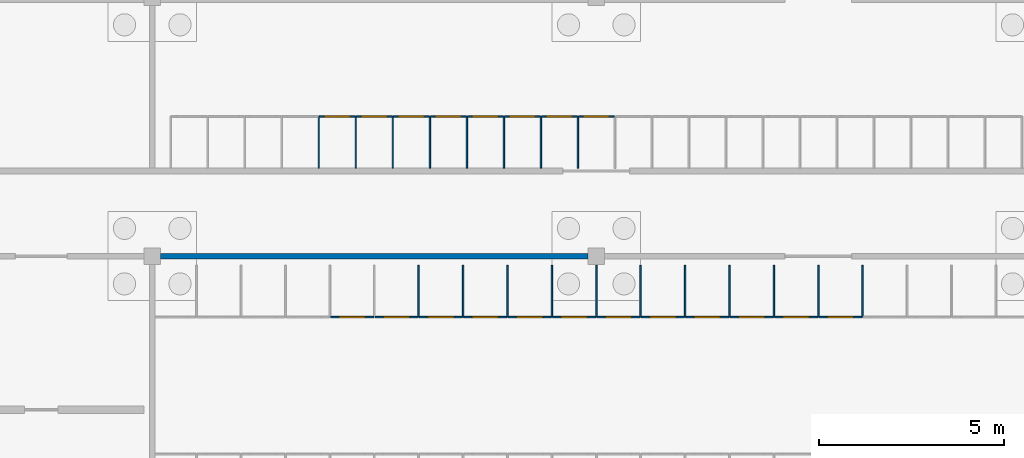
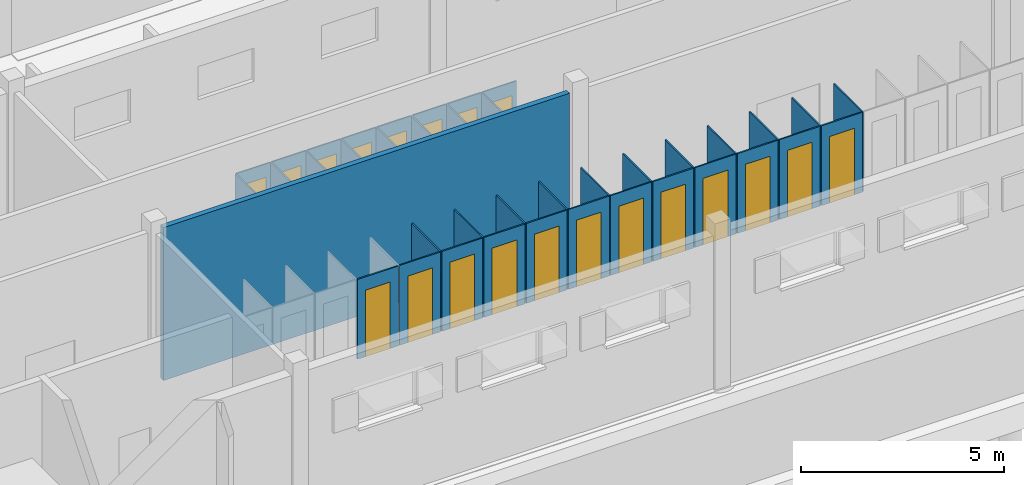
# One storey, part 80 of 157: 40 walls, 20 doors, 20 openings.
"""IFC4 building model written with IfcOpenShell, lengths in metres."""

import ifcopenshell
import ifcopenshell.guid

model = None  # the IFC model being written
_history = None  # IfcOwnerHistory: only IFC2X3 demands one
_inside = {}  # id of a spatial element -> (the spatial element, [elements in it])
_under = {}  # id of a project, library or spatial element -> (it, [spatial elements below it])
_declared = {}  # id of a project -> (the project, [libraries it declares])
_typed = {}  # id of a type object -> (the type object, [elements of that type])
_made_of = {}  # id of a material, layer set ... -> (it, [elements and type objects made of it])


def new_model(schema):
    """Start an empty IFC model of exactly this schema.

    Asked for "IFC4X3", IfcOpenShell would pick the latest addendum, in which some entities
    have other attributes; the version numbers below select the first issue.
    IFC2X3 requires an IfcOwnerHistory on every rooted entity: one is made here for all.
    """
    global model, _history
    if schema == "IFC4X3":
        model = ifcopenshell.file(schema_version=(4, 3, 0, 0))
    else:
        model = ifcopenshell.file(schema=schema)
    _inside.clear()
    _under.clear()
    _declared.clear()
    _typed.clear()
    _made_of.clear()
    _history = None
    if model.schema == "IFC2X3":
        org = make("IfcOrganization", Name="unknown")
        user = make(
            "IfcPersonAndOrganization",
            ThePerson=make("IfcPerson", FamilyName="unknown"),
            TheOrganization=org,
        )
        app = make(
            "IfcApplication",
            ApplicationDeveloper=org,
            Version="unknown",
            ApplicationFullName="unknown",
            ApplicationIdentifier="unknown",
        )
        _history = make(
            "IfcOwnerHistory",
            OwningUser=user,
            OwningApplication=app,
            ChangeAction="ADDED",
            CreationDate=0,
        )
    return model


def make(cls, **values):
    """One entity of the class cls with the attributes given. An attribute that is None is left unset."""
    return model.create_entity(
        cls, **{name: value for name, value in values.items() if value is not None}
    )


def rooted(cls, **values):
    """An entity with a GlobalId (a new one), such as an element, a storey or a relation."""
    return make(cls, GlobalId=ifcopenshell.guid.new(), OwnerHistory=_history, **values)


def si_unit(unit_type, name, prefix=None):
    """IfcSIUnit, for example si_unit("LENGTHUNIT", "METRE", prefix="MILLI")."""
    return make("IfcSIUnit", UnitType=unit_type, Prefix=prefix, Name=name)


def assignment(units):
    """IfcUnitAssignment: the units of a project."""
    return None if units is None else make("IfcUnitAssignment", Units=units)


def point(xyz):
    """IfcCartesianPoint."""
    return None if xyz is None else make("IfcCartesianPoint", Coordinates=xyz)


def direction(xyz):
    """IfcDirection."""
    return None if xyz is None else make("IfcDirection", DirectionRatios=xyz)


def frame(location, z_axis=None, x_axis=None):
    """IfcAxis2Placement3D, a coordinate frame: its origin and axes. An axis left out is left unset."""
    return make(
        "IfcAxis2Placement3D",
        Location=point(location),
        Axis=direction(z_axis),
        RefDirection=direction(x_axis),
    )


def frame_2d(location, x_axis=None):
    """IfcAxis2Placement2D, a coordinate frame in the plane: its origin and x axis."""
    return make(
        "IfcAxis2Placement2D", Location=point(location), RefDirection=direction(x_axis)
    )


def origin():
    """The frame at (0, 0, 0) with its axes left unset."""
    return frame((0.0, 0.0, 0.0))


def place(relative_to, where):
    """IfcLocalPlacement: puts the frame where relative to a parent placement (None: the world)."""
    return make(
        "IfcLocalPlacement", PlacementRelTo=relative_to, RelativePlacement=where
    )


def context(
    kind, dimensions, precision=None, world=None, true_north=None, identifier=None
):
    """IfcGeometricRepresentationContext, for example the 3D "Model" context."""
    return make(
        "IfcGeometricRepresentationContext",
        ContextIdentifier=identifier,
        ContextType=kind,
        CoordinateSpaceDimension=dimensions,
        Precision=precision,
        WorldCoordinateSystem=world,
        TrueNorth=true_north,
    )


def subcontext(parent, identifier, kind, view, scale=None):
    """IfcGeometricRepresentationSubContext, for example "Body" below "Model"."""
    return make(
        "IfcGeometricRepresentationSubContext",
        ContextIdentifier=identifier,
        ContextType=kind,
        ParentContext=parent,
        TargetScale=scale,
        TargetView=view,
    )


def project(units=None, contexts=None):
    """IfcProject with its units and contexts."""
    return rooted(
        "IfcProject",
        Name="project",
        RepresentationContexts=contexts,
        UnitsInContext=assignment(units),
    )


def spatial(cls, under=None, at=None, **own):
    """A site, building, storey or space (cls), placed at a placement, below another one or the project."""
    s = rooted(cls, ObjectPlacement=at, **own)
    if under is not None:
        _under.setdefault(under.id(), (under, []))[1].append(s)
    return s


def profile(cls, at=None, kind="AREA", **sizes):
    """A parametric profile (cls). Its sizes go by their IFC names, for example OverallWidth=200.0."""
    return make(cls, ProfileType=kind, Position=at, **sizes)


def rectangle(**sizes):
    """IfcRectangleProfileDef."""
    return profile("IfcRectangleProfileDef", **sizes)


def extrude(swept, where, along, depth):
    """IfcExtrudedAreaSolid: the profile swept, set in the frame where, extruded along a direction by depth."""
    return make(
        "IfcExtrudedAreaSolid",
        SweptArea=swept,
        Position=where,
        ExtrudedDirection=direction(along),
        Depth=depth,
    )


def shape(context_of_items, identifier, shape_type, items):
    """IfcShapeRepresentation: the items that make up one representation, for example the "Body"."""
    return make(
        "IfcShapeRepresentation",
        ContextOfItems=context_of_items,
        RepresentationIdentifier=identifier,
        RepresentationType=shape_type,
        Items=items,
    )


def material(Name=None, Category=None):
    """IfcMaterial."""
    return make("IfcMaterial", Name=Name, Category=Category)


def layer(
    of_material, thickness, ventilated=None, Name=None, Category=None, Priority=None
):
    """IfcMaterialLayer: one layer of a wall or slab, of a material (None: an air gap)."""
    return make(
        "IfcMaterialLayer",
        Material=of_material,
        LayerThickness=thickness,
        IsVentilated=ventilated,
        Name=Name,
        Category=Category,
        Priority=Priority,
    )


def layer_set(layers, Name=None):
    """IfcMaterialLayerSet."""
    return make("IfcMaterialLayerSet", MaterialLayers=layers, LayerSetName=Name)


def made_of(thing, what):
    """Note that an element or type object is made of a material, layer set ...; save() writes the relation."""
    if what is not None:
        _made_of.setdefault(what.id(), (what, []))[1].append(thing)
    return thing


def type_object(cls, material=None, **own):
    """A type object (cls), such as IfcWallType, which elements share."""
    return made_of(rooted(cls, **own), material)


def element(
    cls,
    number,
    at=None,
    inside=None,
    cuts=None,
    type_object=None,
    material=None,
    context=None,
    identifier="Body",
    shape_type=None,
    held_by="IfcProductDefinitionShape",
    body=None,
    shapes=None,
    **own,
):
    """One element of the class cls, such as IfcWall. Its Tag is "e" and its number.

    at: its placement. inside: the storey or other place that contains it. cuts: it is an
    opening in that element (IfcRelVoidsElement). A single representation is given by context,
    identifier, shape_type and body (its items); several are given by shapes. held_by: the class
    of the entity that holds the representations. save() writes the other relations.
    """
    e = rooted(cls, Tag="e%d" % number, ObjectPlacement=at, **own)
    if body is not None:
        shapes = [shape(context, identifier, shape_type, body)]
    if shapes is not None:
        e.Representation = make(held_by, Representations=shapes)
    if inside is not None:
        _inside.setdefault(inside.id(), (inside, []))[1].append(e)
    if cuts is not None:
        rooted(
            "IfcRelVoidsElement", RelatingBuildingElement=cuts, RelatedOpeningElement=e
        )
    if type_object is not None:
        _typed.setdefault(type_object.id(), (type_object, []))[1].append(e)
    return made_of(e, material)


def fill(opening, filler):
    """IfcRelFillsElement: the door or window that sits in an opening."""
    return rooted(
        "IfcRelFillsElement",
        RelatingOpeningElement=opening,
        RelatedBuildingElement=filler,
    )


def aggregate(whole, parts):
    """IfcRelAggregates: a whole, such as a stair, and the parts it consists of."""
    return rooted("IfcRelAggregates", RelatingObject=whole, RelatedObjects=parts)


def save(model, path):
    """Write the relations noted so far, then the file.

    IfcRelAggregates (storeys below a building ...), IfcRelContainedInSpatialStructure (elements
    in a storey), IfcRelDefinesByType, IfcRelAssociatesMaterial and IfcRelDeclares: one each for
    every whole, place, type object, material and project.
    """
    for whole, parts in _under.values():
        aggregate(whole, parts)
    for where, things in _inside.values():
        rooted(
            "IfcRelContainedInSpatialStructure",
            RelatedElements=things,
            RelatingStructure=where,
        )
    for kind, things in _typed.values():
        rooted("IfcRelDefinesByType", RelatedObjects=things, RelatingType=kind)
    for what, things in _made_of.values():
        rooted("IfcRelAssociatesMaterial", RelatedObjects=things, RelatingMaterial=what)
    for by, libraries in _declared.values():
        rooted("IfcRelDeclares", RelatingContext=by, RelatedDefinitions=libraries)
    model.write(path)


model = new_model("IFC4")

# Units and contexts
model_context = context("Model", 3, precision=1e-05, world=origin(), true_north=direction((0.0, 1.0)))
body_context = subcontext(model_context, "Body", "Model", "MODEL_VIEW")
ifc_project = project(units=[si_unit("LENGTHUNIT", "METRE"), si_unit("AREAUNIT", "SQUARE_METRE"), si_unit("VOLUMEUNIT", "CUBIC_METRE"), si_unit("PLANEANGLEUNIT", "RADIAN"), si_unit("MASSUNIT", "GRAM", prefix="KILO")], contexts=[model_context])

# Site, building, storey
site_placement = place(None, origin())
site = spatial("IfcSite", under=ifc_project, at=site_placement, CompositionType="ELEMENT")
building_placement = place(site_placement, origin())
building = spatial("IfcBuilding", under=site, at=building_placement, Name="Windward Yard Aquatics Centre", CompositionType="ELEMENT")
storey_placement = place(building_placement, origin())
storey = spatial("IfcBuildingStorey", under=building, at=storey_placement, Name="L00", CompositionType="ELEMENT", Elevation=0.0)

# Walls
ifc_material_1 = material(Name="Concrete masonry unit plastered", Category="masonry")
ifc_layer_1 = layer(ifc_material_1, 0.14990234375)
ifc_layer_set_1 = layer_set([ifc_layer_1], Name="C block partition 150")
wall_type_1 = type_object("IfcWallType", Name="C block partition 150", PredefinedType="PARTITIONING", material=ifc_layer_set_1)
wall_1_placement = place(storey_placement, frame((60.22509765625, 12.0, 0.0), z_axis=(0.0, 0.0, 1.0), x_axis=(1.0, 0.0, 0.0)))
element("IfcWall", 1, at=wall_1_placement, inside=storey, type_object=wall_type_1, Name="C.W.L00.SP.S.2", PredefinedType="PARTITIONING", context=body_context, shape_type="SweptSolid", body=[
    extrude(rectangle(XDim=11.5498046875, YDim=0.14990234375, at=frame_2d((5.77490234375, 0.0))), origin(), (0.0, 0.0, 1.0), 4.60009765625),
])
ifc_material_2 = material(Name="High-pressure laminate panel on stainless frame")
ifc_layer_2 = layer(ifc_material_2, 0.0400390625)
ifc_layer_set_2 = layer_set([ifc_layer_2], Name="C cubicle panel 40")
wall_type_2 = type_object("IfcWallType", Name="C cubicle panel 40", PredefinedType="PARTITIONING", material=ifc_layer_set_2)
for number, where, z_axis, x_axis, name in (
    (2, (67.199951171875, 11.75, 0.0), (0.0, 0.0, 1.0), (0.0, -1.0, 0.0), "C.W.L00.B.P6"),
    (3, (68.39990234375, 11.75, 0.0), (0.0, 0.0, 1.0), (0.0, -1.0, 0.0), "C.W.L00.B.P7"),
    (4, (69.60009765625, 11.75, 0.0), (0.0, 0.0, 1.0), (0.0, -1.0, 0.0), "C.W.L00.B.P8"),
    (5, (70.800048828125, 11.75, 0.0), (0.0, 0.0, 1.0), (0.0, -1.0, 0.0), "C.W.L00.B.P9"),
    (6, (72.0, 11.75, 0.0), (0.0, 0.0, 1.0), (0.0, -1.0, 0.0), "C.W.L00.B.P10"),
    (7, (73.199951171875, 11.75, 0.0), (0.0, 0.0, 1.0), (0.0, -1.0, 0.0), "C.W.L00.B.P11"),
    (8, (74.39990234375, 11.75, 0.0), (0.0, 0.0, 1.0), (0.0, -1.0, 0.0), "C.W.L00.B.P12"),
    (9, (75.60009765625, 11.75, 0.0), (0.0, 0.0, 1.0), (0.0, -1.0, 0.0), "C.W.L00.B.P13"),
    (10, (76.800048828125, 11.75, 0.0), (0.0, 0.0, 1.0), (0.0, -1.0, 0.0), "C.W.L00.B.P14"),
    (11, (78.0, 11.75, 0.0), (0.0, 0.0, 1.0), (0.0, -1.0, 0.0), "C.W.L00.B.P15"),
    (12, (79.199951171875, 11.75, 0.0), (0.0, 0.0, 1.0), (0.0, -1.0, 0.0), "C.W.L00.B.P16"),
):
    element("IfcWall", number, at=place(storey_placement, frame(where, z_axis=z_axis, x_axis=x_axis)), inside=storey, type_object=wall_type_2, Name=name, PredefinedType="PARTITIONING", context=body_context, shape_type="SweptSolid", body=[
        extrude(rectangle(XDim=1.39990234375, YDim=0.0400390625, at=frame_2d((0.699951171875, 0.0))), origin(), (0.0, 0.0, 1.0), 2.39990234375),
    ])

# Wall, opening, door
wall_2_placement = place(storey_placement, frame((64.820068359375, 10.35009765625, 0.0), z_axis=(0.0, 0.0, 1.0), x_axis=(1.0, 0.0, 0.0)))
wall_2 = element("IfcWall", 13, at=wall_2_placement, inside=storey, type_object=wall_type_2, Name="C.W.L00.B.F4", PredefinedType="PARTITIONING", context=body_context, shape_type="SweptSolid", body=[
    extrude(rectangle(XDim=1.159912109375, YDim=0.0400390625, at=frame_2d((0.580078125, 0.0))), origin(), (0.0, 0.0, 1.0), 2.39990234375),
])
opening_1_placement = place(wall_2_placement, frame((0.22998046875, 0.0, 0.0)))
opening_1 = element("IfcOpeningElement", 14, at=opening_1_placement, cuts=wall_2, Name="Opening C0062", PredefinedType="OPENING", context=body_context, shape_type="SweptSolid", body=[
    extrude(rectangle(XDim=0.699951171875, YDim=2.0, at=frame_2d((0.35009765625, 1.0))), frame((0.0, 0.030029296875, 0.0), z_axis=(0.0, -1.0, 0.0), x_axis=(1.0, 0.0, 0.0)), (0.0, 0.0, 1.0), 0.06005859375),
])
ifc_material_3 = material(Name="High-pressure laminate door leaf")
door_type = type_object("IfcDoorType", Name="C door 700X2000 NOT RATED", OperationType="SINGLE_SWING_LEFT", PredefinedType="DOOR", material=ifc_material_3)
door_1_placement = place(opening_1_placement, origin())
door_1 = element("IfcDoor", 15, at=door_1_placement, inside=storey, type_object=door_type, Name="Cubicle door B5", OperationType="SINGLE_SWING_LEFT", OverallHeight=2.0, OverallWidth=0.699951171875, PredefinedType="DOOR", context=body_context, shape_type="SweptSolid", body=[
    extrude(rectangle(XDim=0.699951171875, YDim=2.0, at=frame_2d((0.35009765625, 1.0))), frame((0.0, 0.019775390625, 0.0), z_axis=(0.0, -1.0, 0.0), x_axis=(1.0, 0.0, 0.0)), (0.0, 0.0, 1.0), 0.03955078125),
])
fill(opening_1, door_1)

wall_3_placement = place(storey_placement, frame((66.02001953125, 10.35009765625, 0.0), z_axis=(0.0, 0.0, 1.0), x_axis=(1.0, 0.0, 0.0)))
wall_3 = element("IfcWall", 16, at=wall_3_placement, inside=storey, type_object=wall_type_2, Name="C.W.L00.B.F5", PredefinedType="PARTITIONING", context=body_context, shape_type="SweptSolid", body=[
    extrude(rectangle(XDim=1.159912109375, YDim=0.0400390625, at=frame_2d((0.580078125, 0.0))), origin(), (0.0, 0.0, 1.0), 2.39990234375),
])
opening_2_placement = place(wall_3_placement, frame((0.22998046875, 0.0, 0.0)))
opening_2 = element("IfcOpeningElement", 17, at=opening_2_placement, cuts=wall_3, Name="Opening C0063", PredefinedType="OPENING", context=body_context, shape_type="SweptSolid", body=[
    extrude(rectangle(XDim=0.699951171875, YDim=2.0, at=frame_2d((0.35009765625, 1.0))), frame((0.0, 0.030029296875, 0.0), z_axis=(0.0, -1.0, 0.0), x_axis=(1.0, 0.0, 0.0)), (0.0, 0.0, 1.0), 0.06005859375),
])
door_2_placement = place(opening_2_placement, origin())
door_2 = element("IfcDoor", 18, at=door_2_placement, inside=storey, type_object=door_type, Name="Cubicle door B6", OperationType="SINGLE_SWING_LEFT", OverallHeight=2.0, OverallWidth=0.699951171875, PredefinedType="DOOR", context=body_context, shape_type="SweptSolid", body=[
    extrude(rectangle(XDim=0.699951171875, YDim=2.0, at=frame_2d((0.35009765625, 1.0))), frame((0.0, 0.019775390625, 0.0), z_axis=(0.0, -1.0, 0.0), x_axis=(1.0, 0.0, 0.0)), (0.0, 0.0, 1.0), 0.03955078125),
])
fill(opening_2, door_2)

wall_4_placement = place(storey_placement, frame((67.219970703125, 10.35009765625, 0.0), z_axis=(0.0, 0.0, 1.0), x_axis=(1.0, 0.0, 0.0)))
wall_4 = element("IfcWall", 19, at=wall_4_placement, inside=storey, type_object=wall_type_2, Name="C.W.L00.B.F6", PredefinedType="PARTITIONING", context=body_context, shape_type="SweptSolid", body=[
    extrude(rectangle(XDim=1.159912109375, YDim=0.0400390625, at=frame_2d((0.580078125, 0.0))), origin(), (0.0, 0.0, 1.0), 2.39990234375),
])
opening_3_placement = place(wall_4_placement, frame((0.22998046875, 0.0, 0.0)))
opening_3 = element("IfcOpeningElement", 20, at=opening_3_placement, cuts=wall_4, Name="Opening C0064", PredefinedType="OPENING", context=body_context, shape_type="SweptSolid", body=[
    extrude(rectangle(XDim=0.699951171875, YDim=2.0, at=frame_2d((0.35009765625, 1.0))), frame((0.0, 0.030029296875, 0.0), z_axis=(0.0, -1.0, 0.0), x_axis=(1.0, 0.0, 0.0)), (0.0, 0.0, 1.0), 0.06005859375),
])
door_3_placement = place(opening_3_placement, origin())
door_3 = element("IfcDoor", 21, at=door_3_placement, inside=storey, type_object=door_type, Name="Cubicle door B7", OperationType="SINGLE_SWING_LEFT", OverallHeight=2.0, OverallWidth=0.699951171875, PredefinedType="DOOR", context=body_context, shape_type="SweptSolid", body=[
    extrude(rectangle(XDim=0.699951171875, YDim=2.0, at=frame_2d((0.35009765625, 1.0))), frame((0.0, 0.019775390625, 0.0), z_axis=(0.0, -1.0, 0.0), x_axis=(1.0, 0.0, 0.0)), (0.0, 0.0, 1.0), 0.03955078125),
])
fill(opening_3, door_3)

wall_5_placement = place(storey_placement, frame((68.419921875, 10.35009765625, 0.0), z_axis=(0.0, 0.0, 1.0), x_axis=(1.0, 0.0, 0.0)))
wall_5 = element("IfcWall", 22, at=wall_5_placement, inside=storey, type_object=wall_type_2, Name="C.W.L00.B.F7", PredefinedType="PARTITIONING", context=body_context, shape_type="SweptSolid", body=[
    extrude(rectangle(XDim=1.16015625, YDim=0.0400390625, at=frame_2d((0.580078125, 0.0))), origin(), (0.0, 0.0, 1.0), 2.39990234375),
])
opening_4_placement = place(wall_5_placement, frame((0.22998046875, 0.0, 0.0)))
opening_4 = element("IfcOpeningElement", 23, at=opening_4_placement, cuts=wall_5, Name="Opening C0065", PredefinedType="OPENING", context=body_context, shape_type="SweptSolid", body=[
    extrude(rectangle(XDim=0.699951171875, YDim=2.0, at=frame_2d((0.35009765625, 1.0))), frame((0.0, 0.030029296875, 0.0), z_axis=(0.0, -1.0, 0.0), x_axis=(1.0, 0.0, 0.0)), (0.0, 0.0, 1.0), 0.06005859375),
])
door_4_placement = place(opening_4_placement, origin())
door_4 = element("IfcDoor", 24, at=door_4_placement, inside=storey, type_object=door_type, Name="Cubicle door B8", OperationType="SINGLE_SWING_LEFT", OverallHeight=2.0, OverallWidth=0.699951171875, PredefinedType="DOOR", context=body_context, shape_type="SweptSolid", body=[
    extrude(rectangle(XDim=0.699951171875, YDim=2.0, at=frame_2d((0.35009765625, 1.0))), frame((0.0, 0.019775390625, 0.0), z_axis=(0.0, -1.0, 0.0), x_axis=(1.0, 0.0, 0.0)), (0.0, 0.0, 1.0), 0.03955078125),
])
fill(opening_4, door_4)

wall_6_placement = place(storey_placement, frame((69.6201171875, 10.35009765625, 0.0), z_axis=(0.0, 0.0, 1.0), x_axis=(1.0, 0.0, 0.0)))
wall_6 = element("IfcWall", 25, at=wall_6_placement, inside=storey, type_object=wall_type_2, Name="C.W.L00.B.F8", PredefinedType="PARTITIONING", context=body_context, shape_type="SweptSolid", body=[
    extrude(rectangle(XDim=1.159912109375, YDim=0.0400390625, at=frame_2d((0.580078125, 0.0))), origin(), (0.0, 0.0, 1.0), 2.39990234375),
])
opening_5_placement = place(wall_6_placement, frame((0.22998046875, 0.0, 0.0)))
opening_5 = element("IfcOpeningElement", 26, at=opening_5_placement, cuts=wall_6, Name="Opening C0066", PredefinedType="OPENING", context=body_context, shape_type="SweptSolid", body=[
    extrude(rectangle(XDim=0.699951171875, YDim=2.0, at=frame_2d((0.35009765625, 1.0))), frame((0.0, 0.030029296875, 0.0), z_axis=(0.0, -1.0, 0.0), x_axis=(1.0, 0.0, 0.0)), (0.0, 0.0, 1.0), 0.06005859375),
])
door_5_placement = place(opening_5_placement, origin())
door_5 = element("IfcDoor", 27, at=door_5_placement, inside=storey, type_object=door_type, Name="Cubicle door B9", OperationType="SINGLE_SWING_LEFT", OverallHeight=2.0, OverallWidth=0.699951171875, PredefinedType="DOOR", context=body_context, shape_type="SweptSolid", body=[
    extrude(rectangle(XDim=0.699951171875, YDim=2.0, at=frame_2d((0.35009765625, 1.0))), frame((0.0, 0.019775390625, 0.0), z_axis=(0.0, -1.0, 0.0), x_axis=(1.0, 0.0, 0.0)), (0.0, 0.0, 1.0), 0.03955078125),
])
fill(opening_5, door_5)

wall_7_placement = place(storey_placement, frame((70.820068359375, 10.35009765625, 0.0), z_axis=(0.0, 0.0, 1.0), x_axis=(1.0, 0.0, 0.0)))
wall_7 = element("IfcWall", 28, at=wall_7_placement, inside=storey, type_object=wall_type_2, Name="C.W.L00.B.F9", PredefinedType="PARTITIONING", context=body_context, shape_type="SweptSolid", body=[
    extrude(rectangle(XDim=1.159912109375, YDim=0.0400390625, at=frame_2d((0.580078125, 0.0))), origin(), (0.0, 0.0, 1.0), 2.39990234375),
])
opening_6_placement = place(wall_7_placement, frame((0.22998046875, 0.0, 0.0)))
opening_6 = element("IfcOpeningElement", 29, at=opening_6_placement, cuts=wall_7, Name="Opening C0067", PredefinedType="OPENING", context=body_context, shape_type="SweptSolid", body=[
    extrude(rectangle(XDim=0.699951171875, YDim=2.0, at=frame_2d((0.35009765625, 1.0))), frame((0.0, 0.030029296875, 0.0), z_axis=(0.0, -1.0, 0.0), x_axis=(1.0, 0.0, 0.0)), (0.0, 0.0, 1.0), 0.06005859375),
])
door_6_placement = place(opening_6_placement, origin())
door_6 = element("IfcDoor", 30, at=door_6_placement, inside=storey, type_object=door_type, Name="Cubicle door B10", OperationType="SINGLE_SWING_LEFT", OverallHeight=2.0, OverallWidth=0.699951171875, PredefinedType="DOOR", context=body_context, shape_type="SweptSolid", body=[
    extrude(rectangle(XDim=0.699951171875, YDim=2.0, at=frame_2d((0.35009765625, 1.0))), frame((0.0, 0.019775390625, 0.0), z_axis=(0.0, -1.0, 0.0), x_axis=(1.0, 0.0, 0.0)), (0.0, 0.0, 1.0), 0.03955078125),
])
fill(opening_6, door_6)

wall_8_placement = place(storey_placement, frame((72.02001953125, 10.35009765625, 0.0), z_axis=(0.0, 0.0, 1.0), x_axis=(1.0, 0.0, 0.0)))
wall_8 = element("IfcWall", 31, at=wall_8_placement, inside=storey, type_object=wall_type_2, Name="C.W.L00.B.F10", PredefinedType="PARTITIONING", context=body_context, shape_type="SweptSolid", body=[
    extrude(rectangle(XDim=1.159912109375, YDim=0.0400390625, at=frame_2d((0.580078125, 0.0))), origin(), (0.0, 0.0, 1.0), 2.39990234375),
])
opening_7_placement = place(wall_8_placement, frame((0.22998046875, 0.0, 0.0)))
opening_7 = element("IfcOpeningElement", 32, at=opening_7_placement, cuts=wall_8, Name="Opening C0068", PredefinedType="OPENING", context=body_context, shape_type="SweptSolid", body=[
    extrude(rectangle(XDim=0.699951171875, YDim=2.0, at=frame_2d((0.35009765625, 1.0))), frame((0.0, 0.030029296875, 0.0), z_axis=(0.0, -1.0, 0.0), x_axis=(1.0, 0.0, 0.0)), (0.0, 0.0, 1.0), 0.06005859375),
])
door_7_placement = place(opening_7_placement, origin())
door_7 = element("IfcDoor", 33, at=door_7_placement, inside=storey, type_object=door_type, Name="Cubicle door B11", OperationType="SINGLE_SWING_LEFT", OverallHeight=2.0, OverallWidth=0.699951171875, PredefinedType="DOOR", context=body_context, shape_type="SweptSolid", body=[
    extrude(rectangle(XDim=0.699951171875, YDim=2.0, at=frame_2d((0.35009765625, 1.0))), frame((0.0, 0.019775390625, 0.0), z_axis=(0.0, -1.0, 0.0), x_axis=(1.0, 0.0, 0.0)), (0.0, 0.0, 1.0), 0.03955078125),
])
fill(opening_7, door_7)

wall_9_placement = place(storey_placement, frame((73.219970703125, 10.35009765625, 0.0), z_axis=(0.0, 0.0, 1.0), x_axis=(1.0, 0.0, 0.0)))
wall_9 = element("IfcWall", 34, at=wall_9_placement, inside=storey, type_object=wall_type_2, Name="C.W.L00.B.F11", PredefinedType="PARTITIONING", context=body_context, shape_type="SweptSolid", body=[
    extrude(rectangle(XDim=1.159912109375, YDim=0.0400390625, at=frame_2d((0.580078125, 0.0))), origin(), (0.0, 0.0, 1.0), 2.39990234375),
])
opening_8_placement = place(wall_9_placement, frame((0.22998046875, 0.0, 0.0)))
opening_8 = element("IfcOpeningElement", 35, at=opening_8_placement, cuts=wall_9, Name="Opening C0069", PredefinedType="OPENING", context=body_context, shape_type="SweptSolid", body=[
    extrude(rectangle(XDim=0.699951171875, YDim=2.0, at=frame_2d((0.35009765625, 1.0))), frame((0.0, 0.030029296875, 0.0), z_axis=(0.0, -1.0, 0.0), x_axis=(1.0, 0.0, 0.0)), (0.0, 0.0, 1.0), 0.06005859375),
])
door_8_placement = place(opening_8_placement, origin())
door_8 = element("IfcDoor", 36, at=door_8_placement, inside=storey, type_object=door_type, Name="Cubicle door B12", OperationType="SINGLE_SWING_LEFT", OverallHeight=2.0, OverallWidth=0.699951171875, PredefinedType="DOOR", context=body_context, shape_type="SweptSolid", body=[
    extrude(rectangle(XDim=0.699951171875, YDim=2.0, at=frame_2d((0.35009765625, 1.0))), frame((0.0, 0.019775390625, 0.0), z_axis=(0.0, -1.0, 0.0), x_axis=(1.0, 0.0, 0.0)), (0.0, 0.0, 1.0), 0.03955078125),
])
fill(opening_8, door_8)

wall_10_placement = place(storey_placement, frame((74.419921875, 10.35009765625, 0.0), z_axis=(0.0, 0.0, 1.0), x_axis=(1.0, 0.0, 0.0)))
wall_10 = element("IfcWall", 37, at=wall_10_placement, inside=storey, type_object=wall_type_2, Name="C.W.L00.B.F12", PredefinedType="PARTITIONING", context=body_context, shape_type="SweptSolid", body=[
    extrude(rectangle(XDim=1.16015625, YDim=0.0400390625, at=frame_2d((0.580078125, 0.0))), origin(), (0.0, 0.0, 1.0), 2.39990234375),
])
opening_9_placement = place(wall_10_placement, frame((0.22998046875, 0.0, 0.0)))
opening_9 = element("IfcOpeningElement", 38, at=opening_9_placement, cuts=wall_10, Name="Opening C0070", PredefinedType="OPENING", context=body_context, shape_type="SweptSolid", body=[
    extrude(rectangle(XDim=0.699951171875, YDim=2.0, at=frame_2d((0.35009765625, 1.0))), frame((0.0, 0.030029296875, 0.0), z_axis=(0.0, -1.0, 0.0), x_axis=(1.0, 0.0, 0.0)), (0.0, 0.0, 1.0), 0.06005859375),
])
door_9_placement = place(opening_9_placement, origin())
door_9 = element("IfcDoor", 39, at=door_9_placement, inside=storey, type_object=door_type, Name="Cubicle door B13", OperationType="SINGLE_SWING_LEFT", OverallHeight=2.0, OverallWidth=0.699951171875, PredefinedType="DOOR", context=body_context, shape_type="SweptSolid", body=[
    extrude(rectangle(XDim=0.699951171875, YDim=2.0, at=frame_2d((0.35009765625, 1.0))), frame((0.0, 0.019775390625, 0.0), z_axis=(0.0, -1.0, 0.0), x_axis=(1.0, 0.0, 0.0)), (0.0, 0.0, 1.0), 0.03955078125),
])
fill(opening_9, door_9)

wall_11_placement = place(storey_placement, frame((75.6201171875, 10.35009765625, 0.0), z_axis=(0.0, 0.0, 1.0), x_axis=(1.0, 0.0, 0.0)))
wall_11 = element("IfcWall", 40, at=wall_11_placement, inside=storey, type_object=wall_type_2, Name="C.W.L00.B.F13", PredefinedType="PARTITIONING", context=body_context, shape_type="SweptSolid", body=[
    extrude(rectangle(XDim=1.159912109375, YDim=0.0400390625, at=frame_2d((0.580078125, 0.0))), origin(), (0.0, 0.0, 1.0), 2.39990234375),
])
opening_10_placement = place(wall_11_placement, frame((0.22998046875, 0.0, 0.0)))
opening_10 = element("IfcOpeningElement", 41, at=opening_10_placement, cuts=wall_11, Name="Opening C0071", PredefinedType="OPENING", context=body_context, shape_type="SweptSolid", body=[
    extrude(rectangle(XDim=0.699951171875, YDim=2.0, at=frame_2d((0.35009765625, 1.0))), frame((0.0, 0.030029296875, 0.0), z_axis=(0.0, -1.0, 0.0), x_axis=(1.0, 0.0, 0.0)), (0.0, 0.0, 1.0), 0.06005859375),
])
door_10_placement = place(opening_10_placement, origin())
door_10 = element("IfcDoor", 42, at=door_10_placement, inside=storey, type_object=door_type, Name="Cubicle door B14", OperationType="SINGLE_SWING_LEFT", OverallHeight=2.0, OverallWidth=0.699951171875, PredefinedType="DOOR", context=body_context, shape_type="SweptSolid", body=[
    extrude(rectangle(XDim=0.699951171875, YDim=2.0, at=frame_2d((0.35009765625, 1.0))), frame((0.0, 0.019775390625, 0.0), z_axis=(0.0, -1.0, 0.0), x_axis=(1.0, 0.0, 0.0)), (0.0, 0.0, 1.0), 0.03955078125),
])
fill(opening_10, door_10)

wall_12_placement = place(storey_placement, frame((76.820068359375, 10.35009765625, 0.0), z_axis=(0.0, 0.0, 1.0), x_axis=(1.0, 0.0, 0.0)))
wall_12 = element("IfcWall", 43, at=wall_12_placement, inside=storey, type_object=wall_type_2, Name="C.W.L00.B.F14", PredefinedType="PARTITIONING", context=body_context, shape_type="SweptSolid", body=[
    extrude(rectangle(XDim=1.159912109375, YDim=0.0400390625, at=frame_2d((0.580078125, 0.0))), origin(), (0.0, 0.0, 1.0), 2.39990234375),
])
opening_11_placement = place(wall_12_placement, frame((0.22998046875, 0.0, 0.0)))
opening_11 = element("IfcOpeningElement", 44, at=opening_11_placement, cuts=wall_12, Name="Opening C0072", PredefinedType="OPENING", context=body_context, shape_type="SweptSolid", body=[
    extrude(rectangle(XDim=0.699951171875, YDim=2.0, at=frame_2d((0.35009765625, 1.0))), frame((0.0, 0.030029296875, 0.0), z_axis=(0.0, -1.0, 0.0), x_axis=(1.0, 0.0, 0.0)), (0.0, 0.0, 1.0), 0.06005859375),
])
door_11_placement = place(opening_11_placement, origin())
door_11 = element("IfcDoor", 45, at=door_11_placement, inside=storey, type_object=door_type, Name="Cubicle door B15", OperationType="SINGLE_SWING_LEFT", OverallHeight=2.0, OverallWidth=0.699951171875, PredefinedType="DOOR", context=body_context, shape_type="SweptSolid", body=[
    extrude(rectangle(XDim=0.699951171875, YDim=2.0, at=frame_2d((0.35009765625, 1.0))), frame((0.0, 0.019775390625, 0.0), z_axis=(0.0, -1.0, 0.0), x_axis=(1.0, 0.0, 0.0)), (0.0, 0.0, 1.0), 0.03955078125),
])
fill(opening_11, door_11)

wall_13_placement = place(storey_placement, frame((78.02001953125, 10.35009765625, 0.0), z_axis=(0.0, 0.0, 1.0), x_axis=(1.0, 0.0, 0.0)))
wall_13 = element("IfcWall", 46, at=wall_13_placement, inside=storey, type_object=wall_type_2, Name="C.W.L00.B.F15", PredefinedType="PARTITIONING", context=body_context, shape_type="SweptSolid", body=[
    extrude(rectangle(XDim=1.159912109375, YDim=0.0400390625, at=frame_2d((0.580078125, 0.0))), origin(), (0.0, 0.0, 1.0), 2.39990234375),
])
opening_12_placement = place(wall_13_placement, frame((0.22998046875, 0.0, 0.0)))
opening_12 = element("IfcOpeningElement", 47, at=opening_12_placement, cuts=wall_13, Name="Opening C0073", PredefinedType="OPENING", context=body_context, shape_type="SweptSolid", body=[
    extrude(rectangle(XDim=0.699951171875, YDim=2.0, at=frame_2d((0.35009765625, 1.0))), frame((0.0, 0.030029296875, 0.0), z_axis=(0.0, -1.0, 0.0), x_axis=(1.0, 0.0, 0.0)), (0.0, 0.0, 1.0), 0.06005859375),
])
door_12_placement = place(opening_12_placement, origin())
door_12 = element("IfcDoor", 48, at=door_12_placement, inside=storey, type_object=door_type, Name="Cubicle door B16", OperationType="SINGLE_SWING_LEFT", OverallHeight=2.0, OverallWidth=0.699951171875, PredefinedType="DOOR", context=body_context, shape_type="SweptSolid", body=[
    extrude(rectangle(XDim=0.699951171875, YDim=2.0, at=frame_2d((0.35009765625, 1.0))), frame((0.0, 0.019775390625, 0.0), z_axis=(0.0, -1.0, 0.0), x_axis=(1.0, 0.0, 0.0)), (0.0, 0.0, 1.0), 0.03955078125),
])
fill(opening_12, door_12)

# Walls
for number, where, z_axis, x_axis, name in (
    (49, (64.5, 14.375, 0.0), (0.0, 0.0, 1.0), (0.0, 1.0, 0.0), "C.W.L00.E.P4"),
    (50, (65.5, 14.375, 0.0), (0.0, 0.0, 1.0), (0.0, 1.0, 0.0), "C.W.L00.E.P5"),
    (51, (66.5, 14.375, 0.0), (0.0, 0.0, 1.0), (0.0, 1.0, 0.0), "C.W.L00.E.P6"),
    (52, (67.5, 14.375, 0.0), (0.0, 0.0, 1.0), (0.0, 1.0, 0.0), "C.W.L00.E.P7"),
    (53, (68.5, 14.375, 0.0), (0.0, 0.0, 1.0), (0.0, 1.0, 0.0), "C.W.L00.E.P8"),
    (54, (69.5, 14.375, 0.0), (0.0, 0.0, 1.0), (0.0, 1.0, 0.0), "C.W.L00.E.P9"),
    (55, (70.5, 14.375, 0.0), (0.0, 0.0, 1.0), (0.0, 1.0, 0.0), "C.W.L00.E.P10"),
    (56, (71.5, 14.375, 0.0), (0.0, 0.0, 1.0), (0.0, 1.0, 0.0), "C.W.L00.E.P11"),
):
    element("IfcWall", number, at=place(storey_placement, frame(where, z_axis=z_axis, x_axis=x_axis)), inside=storey, type_object=wall_type_2, Name=name, PredefinedType="PARTITIONING", context=body_context, shape_type="SweptSolid", body=[
        extrude(rectangle(XDim=1.39990234375, YDim=0.0400390625, at=frame_2d((0.699951171875, 0.0))), origin(), (0.0, 0.0, 1.0), 2.39990234375),
    ])

# Wall, opening, door
wall_14_placement = place(storey_placement, frame((64.52001953125, 15.77490234375, 0.0), z_axis=(0.0, 0.0, 1.0), x_axis=(1.0, 0.0, 0.0)))
wall_14 = element("IfcWall", 57, at=wall_14_placement, inside=storey, type_object=wall_type_2, Name="C.W.L00.E.F4", PredefinedType="PARTITIONING", context=body_context, shape_type="SweptSolid", body=[
    extrude(rectangle(XDim=0.9599609375, YDim=0.0400390625, at=frame_2d((0.47998046875, 0.0))), origin(), (0.0, 0.0, 1.0), 2.39990234375),
])
opening_13_placement = place(wall_14_placement, frame((0.1298828125, 0.0, 0.0)))
opening_13 = element("IfcOpeningElement", 58, at=opening_13_placement, cuts=wall_14, Name="Opening C0104", PredefinedType="OPENING", context=body_context, shape_type="SweptSolid", body=[
    extrude(rectangle(XDim=0.699951171875, YDim=2.0, at=frame_2d((0.35009765625, 1.0))), frame((0.0, 0.030029296875, 0.0), z_axis=(0.0, -1.0, 0.0), x_axis=(1.0, 0.0, 0.0)), (0.0, 0.0, 1.0), 0.06005859375),
])
door_13_placement = place(opening_13_placement, origin())
door_13 = element("IfcDoor", 59, at=door_13_placement, inside=storey, type_object=door_type, Name="Cubicle door E5", OperationType="SINGLE_SWING_LEFT", OverallHeight=2.0, OverallWidth=0.699951171875, PredefinedType="DOOR", context=body_context, shape_type="SweptSolid", body=[
    extrude(rectangle(XDim=0.699951171875, YDim=2.0, at=frame_2d((0.35009765625, 1.0))), frame((0.0, 0.019775390625, 0.0), z_axis=(0.0, -1.0, 0.0), x_axis=(1.0, 0.0, 0.0)), (0.0, 0.0, 1.0), 0.03955078125),
])
fill(opening_13, door_13)

wall_15_placement = place(storey_placement, frame((65.52001953125, 15.77490234375, 0.0), z_axis=(0.0, 0.0, 1.0), x_axis=(1.0, 0.0, 0.0)))
wall_15 = element("IfcWall", 60, at=wall_15_placement, inside=storey, type_object=wall_type_2, Name="C.W.L00.E.F5", PredefinedType="PARTITIONING", context=body_context, shape_type="SweptSolid", body=[
    extrude(rectangle(XDim=0.9599609375, YDim=0.0400390625, at=frame_2d((0.47998046875, 0.0))), origin(), (0.0, 0.0, 1.0), 2.39990234375),
])
opening_14_placement = place(wall_15_placement, frame((0.1298828125, 0.0, 0.0)))
opening_14 = element("IfcOpeningElement", 61, at=opening_14_placement, cuts=wall_15, Name="Opening C0105", PredefinedType="OPENING", context=body_context, shape_type="SweptSolid", body=[
    extrude(rectangle(XDim=0.699951171875, YDim=2.0, at=frame_2d((0.35009765625, 1.0))), frame((0.0, 0.030029296875, 0.0), z_axis=(0.0, -1.0, 0.0), x_axis=(1.0, 0.0, 0.0)), (0.0, 0.0, 1.0), 0.06005859375),
])
door_14_placement = place(opening_14_placement, origin())
door_14 = element("IfcDoor", 62, at=door_14_placement, inside=storey, type_object=door_type, Name="Cubicle door E6", OperationType="SINGLE_SWING_LEFT", OverallHeight=2.0, OverallWidth=0.699951171875, PredefinedType="DOOR", context=body_context, shape_type="SweptSolid", body=[
    extrude(rectangle(XDim=0.699951171875, YDim=2.0, at=frame_2d((0.35009765625, 1.0))), frame((0.0, 0.019775390625, 0.0), z_axis=(0.0, -1.0, 0.0), x_axis=(1.0, 0.0, 0.0)), (0.0, 0.0, 1.0), 0.03955078125),
])
fill(opening_14, door_14)

wall_16_placement = place(storey_placement, frame((66.52001953125, 15.77490234375, 0.0), z_axis=(0.0, 0.0, 1.0), x_axis=(1.0, 0.0, 0.0)))
wall_16 = element("IfcWall", 63, at=wall_16_placement, inside=storey, type_object=wall_type_2, Name="C.W.L00.E.F6", PredefinedType="PARTITIONING", context=body_context, shape_type="SweptSolid", body=[
    extrude(rectangle(XDim=0.9599609375, YDim=0.0400390625, at=frame_2d((0.47998046875, 0.0))), origin(), (0.0, 0.0, 1.0), 2.39990234375),
])
opening_15_placement = place(wall_16_placement, frame((0.1298828125, 0.0, 0.0)))
opening_15 = element("IfcOpeningElement", 64, at=opening_15_placement, cuts=wall_16, Name="Opening C0106", PredefinedType="OPENING", context=body_context, shape_type="SweptSolid", body=[
    extrude(rectangle(XDim=0.699951171875, YDim=2.0, at=frame_2d((0.35009765625, 1.0))), frame((0.0, 0.030029296875, 0.0), z_axis=(0.0, -1.0, 0.0), x_axis=(1.0, 0.0, 0.0)), (0.0, 0.0, 1.0), 0.06005859375),
])
door_15_placement = place(opening_15_placement, origin())
door_15 = element("IfcDoor", 65, at=door_15_placement, inside=storey, type_object=door_type, Name="Cubicle door E7", OperationType="SINGLE_SWING_LEFT", OverallHeight=2.0, OverallWidth=0.699951171875, PredefinedType="DOOR", context=body_context, shape_type="SweptSolid", body=[
    extrude(rectangle(XDim=0.699951171875, YDim=2.0, at=frame_2d((0.35009765625, 1.0))), frame((0.0, 0.019775390625, 0.0), z_axis=(0.0, -1.0, 0.0), x_axis=(1.0, 0.0, 0.0)), (0.0, 0.0, 1.0), 0.03955078125),
])
fill(opening_15, door_15)

wall_17_placement = place(storey_placement, frame((67.52001953125, 15.77490234375, 0.0), z_axis=(0.0, 0.0, 1.0), x_axis=(1.0, 0.0, 0.0)))
wall_17 = element("IfcWall", 66, at=wall_17_placement, inside=storey, type_object=wall_type_2, Name="C.W.L00.E.F7", PredefinedType="PARTITIONING", context=body_context, shape_type="SweptSolid", body=[
    extrude(rectangle(XDim=0.9599609375, YDim=0.0400390625, at=frame_2d((0.47998046875, 0.0))), origin(), (0.0, 0.0, 1.0), 2.39990234375),
])
opening_16_placement = place(wall_17_placement, frame((0.1298828125, 0.0, 0.0)))
opening_16 = element("IfcOpeningElement", 67, at=opening_16_placement, cuts=wall_17, Name="Opening C0107", PredefinedType="OPENING", context=body_context, shape_type="SweptSolid", body=[
    extrude(rectangle(XDim=0.699951171875, YDim=2.0, at=frame_2d((0.35009765625, 1.0))), frame((0.0, 0.030029296875, 0.0), z_axis=(0.0, -1.0, 0.0), x_axis=(1.0, 0.0, 0.0)), (0.0, 0.0, 1.0), 0.06005859375),
])
door_16_placement = place(opening_16_placement, origin())
door_16 = element("IfcDoor", 68, at=door_16_placement, inside=storey, type_object=door_type, Name="Cubicle door E8", OperationType="SINGLE_SWING_LEFT", OverallHeight=2.0, OverallWidth=0.699951171875, PredefinedType="DOOR", context=body_context, shape_type="SweptSolid", body=[
    extrude(rectangle(XDim=0.699951171875, YDim=2.0, at=frame_2d((0.35009765625, 1.0))), frame((0.0, 0.019775390625, 0.0), z_axis=(0.0, -1.0, 0.0), x_axis=(1.0, 0.0, 0.0)), (0.0, 0.0, 1.0), 0.03955078125),
])
fill(opening_16, door_16)

wall_18_placement = place(storey_placement, frame((68.52001953125, 15.77490234375, 0.0), z_axis=(0.0, 0.0, 1.0), x_axis=(1.0, 0.0, 0.0)))
wall_18 = element("IfcWall", 69, at=wall_18_placement, inside=storey, type_object=wall_type_2, Name="C.W.L00.E.F8", PredefinedType="PARTITIONING", context=body_context, shape_type="SweptSolid", body=[
    extrude(rectangle(XDim=0.9599609375, YDim=0.0400390625, at=frame_2d((0.47998046875, 0.0))), origin(), (0.0, 0.0, 1.0), 2.39990234375),
])
opening_17_placement = place(wall_18_placement, frame((0.1298828125, 0.0, 0.0)))
opening_17 = element("IfcOpeningElement", 70, at=opening_17_placement, cuts=wall_18, Name="Opening C0108", PredefinedType="OPENING", context=body_context, shape_type="SweptSolid", body=[
    extrude(rectangle(XDim=0.699951171875, YDim=2.0, at=frame_2d((0.35009765625, 1.0))), frame((0.0, 0.030029296875, 0.0), z_axis=(0.0, -1.0, 0.0), x_axis=(1.0, 0.0, 0.0)), (0.0, 0.0, 1.0), 0.06005859375),
])
door_17_placement = place(opening_17_placement, origin())
door_17 = element("IfcDoor", 71, at=door_17_placement, inside=storey, type_object=door_type, Name="Cubicle door E9", OperationType="SINGLE_SWING_LEFT", OverallHeight=2.0, OverallWidth=0.699951171875, PredefinedType="DOOR", context=body_context, shape_type="SweptSolid", body=[
    extrude(rectangle(XDim=0.699951171875, YDim=2.0, at=frame_2d((0.35009765625, 1.0))), frame((0.0, 0.019775390625, 0.0), z_axis=(0.0, -1.0, 0.0), x_axis=(1.0, 0.0, 0.0)), (0.0, 0.0, 1.0), 0.03955078125),
])
fill(opening_17, door_17)

wall_19_placement = place(storey_placement, frame((69.52001953125, 15.77490234375, 0.0), z_axis=(0.0, 0.0, 1.0), x_axis=(1.0, 0.0, 0.0)))
wall_19 = element("IfcWall", 72, at=wall_19_placement, inside=storey, type_object=wall_type_2, Name="C.W.L00.E.F9", PredefinedType="PARTITIONING", context=body_context, shape_type="SweptSolid", body=[
    extrude(rectangle(XDim=0.9599609375, YDim=0.0400390625, at=frame_2d((0.47998046875, 0.0))), origin(), (0.0, 0.0, 1.0), 2.39990234375),
])
opening_18_placement = place(wall_19_placement, frame((0.1298828125, 0.0, 0.0)))
opening_18 = element("IfcOpeningElement", 73, at=opening_18_placement, cuts=wall_19, Name="Opening C0109", PredefinedType="OPENING", context=body_context, shape_type="SweptSolid", body=[
    extrude(rectangle(XDim=0.699951171875, YDim=2.0, at=frame_2d((0.35009765625, 1.0))), frame((0.0, 0.030029296875, 0.0), z_axis=(0.0, -1.0, 0.0), x_axis=(1.0, 0.0, 0.0)), (0.0, 0.0, 1.0), 0.06005859375),
])
door_18_placement = place(opening_18_placement, origin())
door_18 = element("IfcDoor", 74, at=door_18_placement, inside=storey, type_object=door_type, Name="Cubicle door E10", OperationType="SINGLE_SWING_LEFT", OverallHeight=2.0, OverallWidth=0.699951171875, PredefinedType="DOOR", context=body_context, shape_type="SweptSolid", body=[
    extrude(rectangle(XDim=0.699951171875, YDim=2.0, at=frame_2d((0.35009765625, 1.0))), frame((0.0, 0.019775390625, 0.0), z_axis=(0.0, -1.0, 0.0), x_axis=(1.0, 0.0, 0.0)), (0.0, 0.0, 1.0), 0.03955078125),
])
fill(opening_18, door_18)

wall_20_placement = place(storey_placement, frame((70.52001953125, 15.77490234375, 0.0), z_axis=(0.0, 0.0, 1.0), x_axis=(1.0, 0.0, 0.0)))
wall_20 = element("IfcWall", 75, at=wall_20_placement, inside=storey, type_object=wall_type_2, Name="C.W.L00.E.F10", PredefinedType="PARTITIONING", context=body_context, shape_type="SweptSolid", body=[
    extrude(rectangle(XDim=0.9599609375, YDim=0.0400390625, at=frame_2d((0.47998046875, 0.0))), origin(), (0.0, 0.0, 1.0), 2.39990234375),
])
opening_19_placement = place(wall_20_placement, frame((0.1298828125, 0.0, 0.0)))
opening_19 = element("IfcOpeningElement", 76, at=opening_19_placement, cuts=wall_20, Name="Opening C0110", PredefinedType="OPENING", context=body_context, shape_type="SweptSolid", body=[
    extrude(rectangle(XDim=0.699951171875, YDim=2.0, at=frame_2d((0.35009765625, 1.0))), frame((0.0, 0.030029296875, 0.0), z_axis=(0.0, -1.0, 0.0), x_axis=(1.0, 0.0, 0.0)), (0.0, 0.0, 1.0), 0.06005859375),
])
door_19_placement = place(opening_19_placement, origin())
door_19 = element("IfcDoor", 77, at=door_19_placement, inside=storey, type_object=door_type, Name="Cubicle door E11", OperationType="SINGLE_SWING_LEFT", OverallHeight=2.0, OverallWidth=0.699951171875, PredefinedType="DOOR", context=body_context, shape_type="SweptSolid", body=[
    extrude(rectangle(XDim=0.699951171875, YDim=2.0, at=frame_2d((0.35009765625, 1.0))), frame((0.0, 0.019775390625, 0.0), z_axis=(0.0, -1.0, 0.0), x_axis=(1.0, 0.0, 0.0)), (0.0, 0.0, 1.0), 0.03955078125),
])
fill(opening_19, door_19)

wall_21_placement = place(storey_placement, frame((71.52001953125, 15.77490234375, 0.0), z_axis=(0.0, 0.0, 1.0), x_axis=(1.0, 0.0, 0.0)))
wall_21 = element("IfcWall", 78, at=wall_21_placement, inside=storey, type_object=wall_type_2, Name="C.W.L00.E.F11", PredefinedType="PARTITIONING", context=body_context, shape_type="SweptSolid", body=[
    extrude(rectangle(XDim=0.9599609375, YDim=0.0400390625, at=frame_2d((0.47998046875, 0.0))), origin(), (0.0, 0.0, 1.0), 2.39990234375),
])
opening_20_placement = place(wall_21_placement, frame((0.1298828125, 0.0, 0.0)))
opening_20 = element("IfcOpeningElement", 79, at=opening_20_placement, cuts=wall_21, Name="Opening C0111", PredefinedType="OPENING", context=body_context, shape_type="SweptSolid", body=[
    extrude(rectangle(XDim=0.699951171875, YDim=2.0, at=frame_2d((0.35009765625, 1.0))), frame((0.0, 0.030029296875, 0.0), z_axis=(0.0, -1.0, 0.0), x_axis=(1.0, 0.0, 0.0)), (0.0, 0.0, 1.0), 0.06005859375),
])
door_20_placement = place(opening_20_placement, origin())
door_20 = element("IfcDoor", 80, at=door_20_placement, inside=storey, type_object=door_type, Name="Cubicle door E12", OperationType="SINGLE_SWING_LEFT", OverallHeight=2.0, OverallWidth=0.699951171875, PredefinedType="DOOR", context=body_context, shape_type="SweptSolid", body=[
    extrude(rectangle(XDim=0.699951171875, YDim=2.0, at=frame_2d((0.35009765625, 1.0))), frame((0.0, 0.019775390625, 0.0), z_axis=(0.0, -1.0, 0.0), x_axis=(1.0, 0.0, 0.0)), (0.0, 0.0, 1.0), 0.03955078125),
])
fill(opening_20, door_20)

save(model, "model.ifc")
